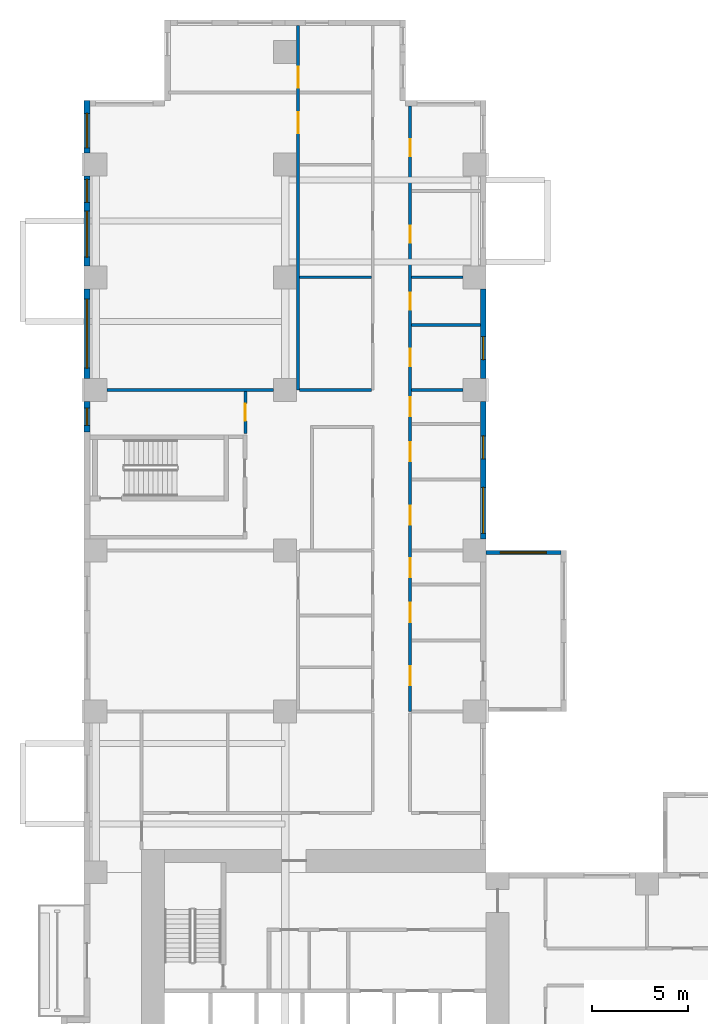
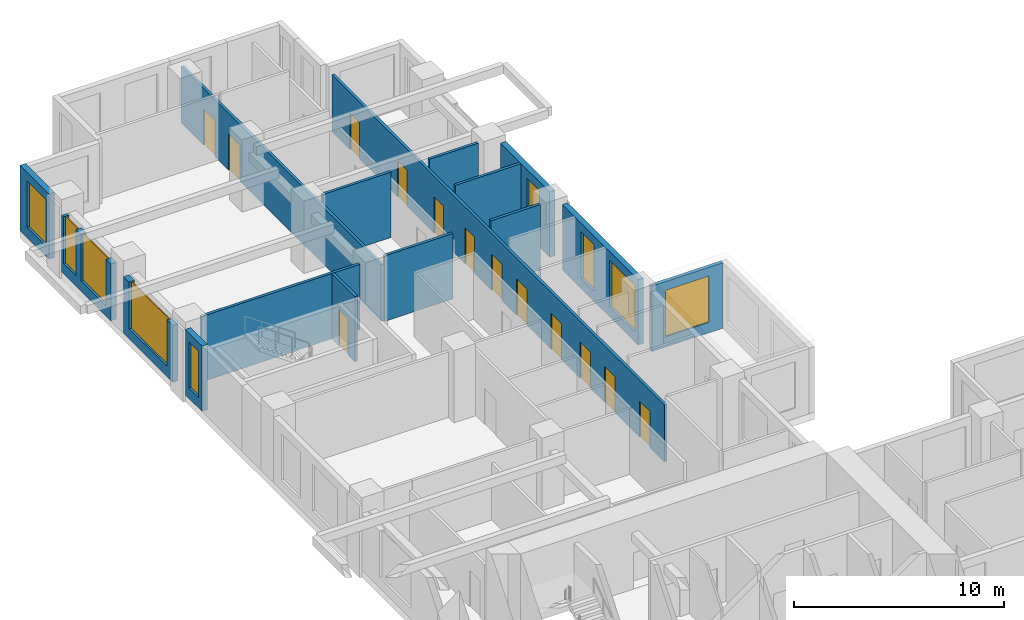
# One storey, part 7 of 14: 16 walls, 13 doors, 9 windows, 22 openings.
"""IFC4 building model written with IfcOpenShell, lengths in metres."""

from ifc_helpers import new_model, si_unit, direction, frame, frame_2d, origin, place, context, subcontext, project, spatial, rectangle, extrude, source, transform, mapped, material, layer, layer_set, type_object, element, fill, save


model = new_model("IFC4")

# Units and contexts
model_context = context("Model", 3, precision=1e-05, world=origin(), true_north=direction((0.0, 1.0)))
body_context = subcontext(model_context, "Body", "Model", "MODEL_VIEW")
ifc_project = project(units=[si_unit("LENGTHUNIT", "METRE"), si_unit("AREAUNIT", "SQUARE_METRE"), si_unit("VOLUMEUNIT", "CUBIC_METRE"), si_unit("PLANEANGLEUNIT", "RADIAN"), si_unit("MASSUNIT", "GRAM", prefix="KILO")], contexts=[model_context])

# Site, building, storey
site_placement = place(None, origin())
site = spatial("IfcSite", under=ifc_project, at=site_placement, CompositionType="ELEMENT")
building_placement = place(site_placement, origin())
building = spatial("IfcBuilding", under=site, at=building_placement, Name="Aurelian Terraces", CompositionType="ELEMENT")
storey_placement = place(building_placement, frame((0.0, 0.0, 53.1)))
storey = spatial("IfcBuildingStorey", under=building, at=storey_placement, Name="L10", CompositionType="ELEMENT", Elevation=53.1)

# Wall, openings, windows
ifc_material_1 = material(Name="Terracotta rainscreen cladding", Category="masonry")
ifc_layer_1 = layer(ifc_material_1, 0.3)
ifc_layer_set_1 = layer_set([ifc_layer_1], Name="EW-300")
wall_type_1 = type_object("IfcWallType", Name="EW-300", PredefinedType="STANDARD", material=ifc_layer_set_1)
shared_shape_1 = source(origin(), body_context, "Body", "SweptSolid", [
    extrude(rectangle(XDim=7.2, YDim=0.3, at=frame_2d((3.6, 0.0))), origin(), (0.0, 0.0, 1.0), 3.8),
])
wall_1_placement = place(storey_placement, frame((20.85, 38.4, 0.0), z_axis=(0.0, 0.0, 1.0), x_axis=(0.0, 1.0, 0.0)))
wall_1 = element("IfcWall", 1, at=wall_1_placement, inside=storey, type_object=wall_type_1, Name="External wall L10 F12.27", PredefinedType="STANDARD", context=body_context, shape_type="MappedRepresentation", body=[
    mapped(shared_shape_1, transform((0.0, 0.0, 0.0), scale=1.0)),
])
shared_shape_2 = source(origin(), body_context, "Body", "SweptSolid", [
    extrude(rectangle(XDim=2.4, YDim=2.7, at=frame_2d((1.2, 1.35))), frame((0.0, 0.16, 0.0), z_axis=(0.0, -1.0, 0.0), x_axis=(1.0, 0.0, 0.0)), (0.0, 0.0, 1.0), 0.32),
])
opening_1_placement = place(wall_1_placement, frame((0.3, 0.0, 0.6)))
opening_1 = element("IfcOpeningElement", 2, at=opening_1_placement, cuts=wall_1, Name="Opening W2427", PredefinedType="OPENING", context=body_context, shape_type="MappedRepresentation", body=[
    mapped(shared_shape_2, transform((0.0, 0.0, 0.0), scale=1.0)),
])
shared_shape_3 = source(origin(), body_context, "Body", "SweptSolid", [
    extrude(rectangle(XDim=1.2, YDim=2.7, at=frame_2d((0.6, 1.35))), frame((0.0, 0.16, 0.0), z_axis=(0.0, -1.0, 0.0), x_axis=(1.0, 0.0, 0.0)), (0.0, 0.0, 1.0), 0.32),
])
opening_2_placement = place(wall_1_placement, frame((4.1995, 0.0, 0.6)))
opening_2 = element("IfcOpeningElement", 3, at=opening_2_placement, cuts=wall_1, Name="Opening W1227", PredefinedType="OPENING", context=body_context, shape_type="MappedRepresentation", body=[
    mapped(shared_shape_3, transform((0.0, 0.0, 0.0), scale=1.0)),
])
ifc_material_2 = material(Name="Clear glazing", Category="glass")
window_type_1 = type_object("IfcWindowType", Name="W-2400x2700", PartitioningType="SINGLE_PANEL", PredefinedType="WINDOW", material=ifc_material_2)
shared_shape_4 = source(origin(), body_context, "Body", "SweptSolid", [
    extrude(rectangle(XDim=2.4, YDim=2.7, at=frame_2d((1.2, 1.35))), frame((0.0, 0.03, 0.0), z_axis=(0.0, -1.0, 0.0), x_axis=(1.0, 0.0, 0.0)), (0.0, 0.0, 1.0), 0.06),
])
window_1_placement = place(opening_1_placement, origin())
window_1 = element("IfcWindow", 4, at=window_1_placement, inside=storey, type_object=window_type_1, Name="Window L10 L10-F12-27-0", OverallHeight=2.7, OverallWidth=2.4, PartitioningType="SINGLE_PANEL", PredefinedType="WINDOW", context=body_context, shape_type="MappedRepresentation", body=[
    mapped(shared_shape_4, transform((0.0, 0.0, 0.0), scale=1.0)),
])
fill(opening_1, window_1)
window_type_2 = type_object("IfcWindowType", Name="W-1200x2700", PartitioningType="SINGLE_PANEL", PredefinedType="WINDOW", material=ifc_material_2)
shared_shape_5 = source(origin(), body_context, "Body", "SweptSolid", [
    extrude(rectangle(XDim=1.2, YDim=2.7, at=frame_2d((0.6, 1.35))), frame((0.0, 0.03, 0.0), z_axis=(0.0, -1.0, 0.0), x_axis=(1.0, 0.0, 0.0)), (0.0, 0.0, 1.0), 0.06),
])
window_2_placement = place(opening_2_placement, origin())
window_2 = element("IfcWindow", 5, at=window_2_placement, inside=storey, type_object=window_type_2, Name="Window L10 L10-F12-27-G0-33", OverallHeight=2.7, OverallWidth=1.2, PartitioningType="SINGLE_PANEL", PredefinedType="WINDOW", context=body_context, shape_type="MappedRepresentation", body=[
    mapped(shared_shape_5, transform((0.0, 0.0, 0.0), scale=1.0)),
])
fill(opening_2, window_2)

# Wall, opening, window
shared_shape_6 = source(origin(), body_context, "Body", "SweptSolid", [
    extrude(rectangle(XDim=4.68, YDim=0.3, at=frame_2d((2.34, 0.0))), origin(), (0.0, 0.0, 1.0), 3.8),
])
wall_2_placement = place(storey_placement, frame((20.85, 46.8, 0.0), z_axis=(0.0, 0.0, 1.0), x_axis=(0.0, 1.0, 0.0)))
wall_2 = element("IfcWall", 6, at=wall_2_placement, inside=storey, type_object=wall_type_1, Name="External wall L10 F12.28", PredefinedType="STANDARD", context=body_context, shape_type="MappedRepresentation", body=[
    mapped(shared_shape_6, transform((0.0, 0.0, 0.0), scale=1.0)),
])
opening_3_placement = place(wall_2_placement, frame((0.976, 0.0, 0.6)))
opening_3 = element("IfcOpeningElement", 7, at=opening_3_placement, cuts=wall_2, Name="Opening W1227", PredefinedType="OPENING", context=body_context, shape_type="MappedRepresentation", body=[
    mapped(shared_shape_3, transform((0.0, 0.0, 0.0), scale=1.0)),
])
window_3_placement = place(opening_3_placement, origin())
window_3 = element("IfcWindow", 8, at=window_3_placement, inside=storey, type_object=window_type_2, Name="Window L10 L10-F12-28-0", OverallHeight=2.7, OverallWidth=1.2, PartitioningType="SINGLE_PANEL", PredefinedType="WINDOW", context=body_context, shape_type="MappedRepresentation", body=[
    mapped(shared_shape_5, transform((0.0, 0.0, 0.0), scale=1.0)),
])
fill(opening_3, window_3)

shared_shape_7 = source(origin(), body_context, "Body", "SweptSolid", [
    extrude(rectangle(XDim=2.76, YDim=0.3, at=frame_2d((1.38, 0.0))), origin(), (0.0, 0.0, 1.0), 3.8),
])
wall_3_placement = place(storey_placement, frame((0.15, 61.32, 0.0), z_axis=(0.0, 0.0, 1.0), x_axis=(0.0, -1.0, 0.0)))
wall_3 = element("IfcWall", 9, at=wall_3_placement, inside=storey, type_object=wall_type_1, Name="External wall L10 F18.39", PredefinedType="STANDARD", context=body_context, shape_type="MappedRepresentation", body=[
    mapped(shared_shape_7, transform((0.0, 0.0, 0.0), scale=1.0)),
])
shared_shape_8 = source(origin(), body_context, "Body", "SweptSolid", [
    extrude(rectangle(XDim=1.8, YDim=2.7, at=frame_2d((0.9, 1.35))), frame((0.0, 0.16, 0.0), z_axis=(0.0, -1.0, 0.0), x_axis=(1.0, 0.0, 0.0)), (0.0, 0.0, 1.0), 0.32),
])
opening_4_placement = place(wall_3_placement, frame((0.675, 0.0, 0.6)))
opening_4 = element("IfcOpeningElement", 10, at=opening_4_placement, cuts=wall_3, Name="Opening W1827", PredefinedType="OPENING", context=body_context, shape_type="MappedRepresentation", body=[
    mapped(shared_shape_8, transform((0.0, 0.0, 0.0), scale=1.0)),
])
window_type_3 = type_object("IfcWindowType", Name="W-1800x2700", PartitioningType="SINGLE_PANEL", PredefinedType="WINDOW", material=ifc_material_2)
shared_shape_9 = source(origin(), body_context, "Body", "SweptSolid", [
    extrude(rectangle(XDim=1.8, YDim=2.7, at=frame_2d((0.9, 1.35))), frame((0.0, 0.03, 0.0), z_axis=(0.0, -1.0, 0.0), x_axis=(1.0, 0.0, 0.0)), (0.0, 0.0, 1.0), 0.06),
])
window_4_placement = place(opening_4_placement, origin())
window_4 = element("IfcWindow", 11, at=window_4_placement, inside=storey, type_object=window_type_3, Name="Window L10 L10-F18-39-0", OverallHeight=2.7, OverallWidth=1.8, PartitioningType="SINGLE_PANEL", PredefinedType="WINDOW", context=body_context, shape_type="MappedRepresentation", body=[
    mapped(shared_shape_9, transform((0.0, 0.0, 0.0), scale=1.0)),
])
fill(opening_4, window_4)

# Wall, openings, windows
shared_shape_10 = source(origin(), body_context, "Body", "SweptSolid", [
    extrude(rectangle(XDim=4.68, YDim=0.3, at=frame_2d((2.34, 0.0))), origin(), (0.0, 0.0, 1.0), 3.3),
])
wall_4_placement = place(storey_placement, frame((0.15, 57.36, 0.0), z_axis=(0.0, 0.0, 1.0), x_axis=(0.0, -1.0, 0.0)))
wall_4 = element("IfcWall", 12, at=wall_4_placement, inside=storey, type_object=wall_type_1, Name="External wall L10 F18.39", PredefinedType="STANDARD", context=body_context, shape_type="MappedRepresentation", body=[
    mapped(shared_shape_10, transform((0.0, 0.0, 0.0), scale=1.0)),
])
opening_5_placement = place(wall_4_placement, frame((0.165, 0.0, 0.6)))
opening_5 = element("IfcOpeningElement", 13, at=opening_5_placement, cuts=wall_4, Name="Opening W1227", PredefinedType="OPENING", context=body_context, shape_type="MappedRepresentation", body=[
    mapped(shared_shape_3, transform((0.0, 0.0, 0.0), scale=1.0)),
])
opening_6_placement = place(wall_4_placement, frame((1.8225, 0.0, 0.6)))
opening_6 = element("IfcOpeningElement", 14, at=opening_6_placement, cuts=wall_4, Name="Opening W2427", PredefinedType="OPENING", context=body_context, shape_type="MappedRepresentation", body=[
    mapped(shared_shape_2, transform((0.0, 0.0, 0.0), scale=1.0)),
])
window_5_placement = place(opening_6_placement, origin())
window_5 = element("IfcWindow", 15, at=window_5_placement, inside=storey, type_object=window_type_1, Name="Window L10 L10-F18-39-G1-53", OverallHeight=2.7, OverallWidth=2.4, PartitioningType="SINGLE_PANEL", PredefinedType="WINDOW", context=body_context, shape_type="MappedRepresentation", body=[
    mapped(shared_shape_4, transform((0.0, 0.0, 0.0), scale=1.0)),
])
fill(opening_6, window_5)
window_6_placement = place(opening_5_placement, origin())
window_6 = element("IfcWindow", 16, at=window_6_placement, inside=storey, type_object=window_type_2, Name="Window L10 L10-F18-39-1", OverallHeight=2.7, OverallWidth=1.2, PartitioningType="SINGLE_PANEL", PredefinedType="WINDOW", context=body_context, shape_type="MappedRepresentation", body=[
    mapped(shared_shape_5, transform((0.0, 0.0, 0.0), scale=1.0)),
])
fill(opening_5, window_6)

# Wall, opening, window
wall_5_placement = place(storey_placement, frame((0.15, 51.48, 0.0), z_axis=(0.0, 0.0, 1.0), x_axis=(0.0, -1.0, 0.0)))
wall_5 = element("IfcWall", 17, at=wall_5_placement, inside=storey, type_object=wall_type_1, Name="External wall L10 F18.39", PredefinedType="STANDARD", context=body_context, shape_type="MappedRepresentation", body=[
    mapped(shared_shape_10, transform((0.0, 0.0, 0.0), scale=1.0)),
])
shared_shape_11 = source(origin(), body_context, "Body", "SweptSolid", [
    extrude(rectangle(XDim=3.6, YDim=2.7, at=frame_2d((1.8, 1.35))), frame((0.0, 0.16, 0.0), z_axis=(0.0, -1.0, 0.0), x_axis=(1.0, 0.0, 0.0)), (0.0, 0.0, 1.0), 0.32),
])
opening_7_placement = place(wall_5_placement, frame((0.54, 0.0, 0.6)))
opening_7 = element("IfcOpeningElement", 18, at=opening_7_placement, cuts=wall_5, Name="Opening W3627", PredefinedType="OPENING", context=body_context, shape_type="MappedRepresentation", body=[
    mapped(shared_shape_11, transform((0.0, 0.0, 0.0), scale=1.0)),
])
window_type_4 = type_object("IfcWindowType", Name="W-3600x2700", PartitioningType="SINGLE_PANEL", PredefinedType="WINDOW", material=ifc_material_2)
shared_shape_12 = source(origin(), body_context, "Body", "SweptSolid", [
    extrude(rectangle(XDim=3.6, YDim=2.7, at=frame_2d((1.8, 1.35))), frame((0.0, 0.03, 0.0), z_axis=(0.0, -1.0, 0.0), x_axis=(1.0, 0.0, 0.0)), (0.0, 0.0, 1.0), 0.06),
])
window_7_placement = place(opening_7_placement, origin())
window_7 = element("IfcWindow", 19, at=window_7_placement, inside=storey, type_object=window_type_4, Name="Window L10 L10-F18-39-P2", OverallHeight=2.7, OverallWidth=3.6, PartitioningType="SINGLE_PANEL", PredefinedType="WINDOW", context=body_context, shape_type="MappedRepresentation", body=[
    mapped(shared_shape_12, transform((0.0, 0.0, 0.0), scale=1.0)),
])
fill(opening_7, window_7)

shared_shape_13 = source(origin(), body_context, "Body", "SweptSolid", [
    extrude(rectangle(XDim=1.6, YDim=0.3, at=frame_2d((0.8, 0.0))), origin(), (0.0, 0.0, 1.0), 3.8),
])
wall_6_placement = place(storey_placement, frame((0.15, 45.6, 0.0), z_axis=(0.0, 0.0, 1.0), x_axis=(0.0, -1.0, 0.0)))
wall_6 = element("IfcWall", 20, at=wall_6_placement, inside=storey, type_object=wall_type_1, Name="External wall L10 F18.39", PredefinedType="STANDARD", context=body_context, shape_type="MappedRepresentation", body=[
    mapped(shared_shape_13, transform((0.0, 0.0, 0.0), scale=1.0)),
])
shared_shape_14 = source(origin(), body_context, "Body", "SweptSolid", [
    extrude(rectangle(XDim=0.9, YDim=2.7, at=frame_2d((0.45, 1.35))), frame((0.0, 0.16, 0.0), z_axis=(0.0, -1.0, 0.0), x_axis=(1.0, 0.0, 0.0)), (0.0, 0.0, 1.0), 0.32),
])
opening_8_placement = place(wall_6_placement, frame((0.35, 0.0, 0.6)))
opening_8 = element("IfcOpeningElement", 21, at=opening_8_placement, cuts=wall_6, Name="Opening W0927", PredefinedType="OPENING", context=body_context, shape_type="MappedRepresentation", body=[
    mapped(shared_shape_14, transform((0.0, 0.0, 0.0), scale=1.0)),
])
window_type_5 = type_object("IfcWindowType", Name="W-900x2700", PartitioningType="SINGLE_PANEL", PredefinedType="WINDOW", material=ifc_material_2)
shared_shape_15 = source(origin(), body_context, "Body", "SweptSolid", [
    extrude(rectangle(XDim=0.9, YDim=2.7, at=frame_2d((0.45, 1.35))), frame((0.0, 0.03, 0.0), z_axis=(0.0, -1.0, 0.0), x_axis=(1.0, 0.0, 0.0)), (0.0, 0.0, 1.0), 0.06),
])
window_8_placement = place(opening_8_placement, origin())
window_8 = element("IfcWindow", 22, at=window_8_placement, inside=storey, type_object=window_type_5, Name="Window L10 L10-F18-39-P3", OverallHeight=2.7, OverallWidth=0.9, PartitioningType="SINGLE_PANEL", PredefinedType="WINDOW", context=body_context, shape_type="MappedRepresentation", body=[
    mapped(shared_shape_15, transform((0.0, 0.0, 0.0), scale=1.0)),
])
fill(opening_8, window_8)

ifc_material_3 = material(Name="Concrete fc' 40 MPa", Category="concrete")
ifc_layer_2 = layer(ifc_material_3, 0.2)
ifc_layer_set_2 = layer_set([ifc_layer_2], Name="BOX BEARING WALL 200")
wall_type_2 = type_object("IfcWallType", Name="BOX BEARING WALL 200", PredefinedType="SOLIDWALL", material=ifc_layer_set_2)
shared_shape_16 = source(origin(), body_context, "Body", "SweptSolid", [
    extrude(rectangle(XDim=3.9, YDim=0.2, at=frame_2d((1.95, 0.0))), origin(), (0.0, 0.0, 1.0), 3.8),
])
wall_7_placement = place(storey_placement, frame((21.0, 37.7, 0.0), z_axis=(0.0, 0.0, 1.0), x_axis=(1.0, 0.0, 0.0)))
wall_7 = element("IfcWall", 23, at=wall_7_placement, inside=storey, type_object=wall_type_2, Name="Box return L10 J05.2", PredefinedType="SOLIDWALL", context=body_context, shape_type="MappedRepresentation", body=[
    mapped(shared_shape_16, transform((0.0, 0.0, 0.0), scale=1.0)),
])
shared_shape_17 = source(origin(), body_context, "Body", "SweptSolid", [
    extrude(rectangle(XDim=2.4, YDim=2.7, at=frame_2d((1.2, 1.35))), frame((0.0, 0.11, 0.0), z_axis=(0.0, -1.0, 0.0), x_axis=(1.0, 0.0, 0.0)), (0.0, 0.0, 1.0), 0.22),
])
opening_9_placement = place(wall_7_placement, frame((0.75, 0.0, 0.6)))
opening_9 = element("IfcOpeningElement", 24, at=opening_9_placement, cuts=wall_7, Name="Opening W2427", PredefinedType="OPENING", context=body_context, shape_type="MappedRepresentation", body=[
    mapped(shared_shape_17, transform((0.0, 0.0, 0.0), scale=1.0)),
])
window_9_placement = place(opening_9_placement, origin())
window_9 = element("IfcWindow", 25, at=window_9_placement, inside=storey, type_object=window_type_1, Name="Window L10 J05-S2", OverallHeight=2.7, OverallWidth=2.4, PartitioningType="SINGLE_PANEL", PredefinedType="WINDOW", context=body_context, shape_type="MappedRepresentation", body=[
    mapped(shared_shape_4, transform((0.0, 0.0, 0.0), scale=1.0)),
])
fill(opening_9, window_9)

# Walls
ifc_material_4 = material(Name="Gypsum board on steel studs", Category="steel")
ifc_layer_3 = layer(ifc_material_4, 0.15)
ifc_layer_set_3 = layer_set([ifc_layer_3], Name="Partition 150")
wall_type_3 = type_object("IfcWallType", Name="Partition 150", PredefinedType="PARTITIONING", material=ifc_layer_set_3)
shared_shape_18 = source(origin(), body_context, "Body", "SweptSolid", [
    extrude(rectangle(XDim=3.75, YDim=0.15, at=frame_2d((1.875, 0.0))), origin(), (0.0, 0.0, 1.0), 3.8),
])
for number, where, z_axis, x_axis, name in (
    (26, (15.0, 52.08, 0.0), (0.0, 0.0, 1.0), (-1.0, 0.0, 0.0), "Partition"),
    (27, (15.0, 46.2, 0.0), (0.0, 0.0, 1.0), (-1.0, 0.0, 0.0), "Partition"),
):
    element("IfcWall", number, at=place(storey_placement, frame(where, z_axis=z_axis, x_axis=x_axis)), inside=storey, type_object=wall_type_3, Name=name, PredefinedType="PARTITIONING", context=body_context, shape_type="MappedRepresentation", body=[
        mapped(shared_shape_18, transform((0.0, 0.0, 0.0), scale=1.0)),
    ])
shared_shape_19 = source(origin(), body_context, "Body", "SweptSolid", [
    extrude(rectangle(XDim=8.702, YDim=0.15, at=frame_2d((4.351, 0.0))), origin(), (0.0, 0.0, 1.0), 3.8),
])
wall_8_placement = place(storey_placement, frame((9.901, 46.2, 0.0), z_axis=(0.0, 0.0, 1.0), x_axis=(-1.0, 0.0, 0.0)))
element("IfcWall", 28, at=wall_8_placement, inside=storey, type_object=wall_type_3, Name="Partition", PredefinedType="PARTITIONING", context=body_context, shape_type="MappedRepresentation", body=[
    mapped(shared_shape_19, transform((0.0, 0.0, 0.0), scale=1.0)),
])
shared_shape_20 = source(origin(), body_context, "Body", "SweptSolid", [
    extrude(rectangle(XDim=3.6, YDim=0.15, at=frame_2d((1.8, 0.0))), origin(), (0.0, 0.0, 1.0), 3.8),
])
wall_9_placement = place(storey_placement, frame((17.1, 49.5866, 0.0), z_axis=(0.0, 0.0, 1.0), x_axis=(1.0, 0.0, 0.0)))
element("IfcWall", 29, at=wall_9_placement, inside=storey, type_object=wall_type_3, Name="Partition", PredefinedType="PARTITIONING", context=body_context, shape_type="MappedRepresentation", body=[
    mapped(shared_shape_20, transform((0.0, 0.0, 0.0), scale=1.0)),
])
shared_shape_21 = source(origin(), body_context, "Body", "SweptSolid", [
    extrude(rectangle(XDim=2.701, YDim=0.15, at=frame_2d((1.3505, 0.0))), origin(), (0.0, 0.0, 1.0), 3.8),
])
for number, where, z_axis, x_axis, name in (
    (30, (19.801, 46.2, 0.0), (0.0, 0.0, 1.0), (-1.0, 0.0, 0.0), "Partition"),
    (31, (19.801, 52.08, 0.0), (0.0, 0.0, 1.0), (-1.0, 0.0, 0.0), "Partition"),
):
    element("IfcWall", number, at=place(storey_placement, frame(where, z_axis=z_axis, x_axis=x_axis)), inside=storey, type_object=wall_type_3, Name=name, PredefinedType="PARTITIONING", context=body_context, shape_type="MappedRepresentation", body=[
        mapped(shared_shape_21, transform((0.0, 0.0, 0.0), scale=1.0)),
    ])

# Wall, opening, door
shared_shape_22 = source(origin(), body_context, "Body", "SweptSolid", [
    extrude(rectangle(XDim=2.2, YDim=0.15, at=frame_2d((1.1, 0.0))), origin(), (0.0, 0.0, 1.0), 3.8),
])
wall_10_placement = place(storey_placement, frame((8.425, 43.925, 0.0), z_axis=(0.0, 0.0, 1.0), x_axis=(0.0, 1.0, 0.0)))
wall_10 = element("IfcWall", 32, at=wall_10_placement, inside=storey, type_object=wall_type_3, Name="Partition", PredefinedType="PARTITIONING", context=body_context, shape_type="MappedRepresentation", body=[
    mapped(shared_shape_22, transform((0.0, 0.0, 0.0), scale=1.0)),
])
shared_shape_23 = source(origin(), body_context, "Body", "SweptSolid", [
    extrude(rectangle(XDim=0.9, YDim=2.1, at=frame_2d((0.45, 1.05))), frame((0.0, 0.085, 0.0), z_axis=(0.0, -1.0, 0.0), x_axis=(1.0, 0.0, 0.0)), (0.0, 0.0, 1.0), 0.17),
])
opening_10_placement = place(wall_10_placement, frame((0.65, 0.0, 0.0)))
opening_10 = element("IfcOpeningElement", 33, at=opening_10_placement, cuts=wall_10, Name="Opening 710031", PredefinedType="OPENING", context=body_context, shape_type="MappedRepresentation", body=[
    mapped(shared_shape_23, transform((0.0, 0.0, 0.0), scale=1.0)),
])
ifc_material_5 = material(Name="Timber door leaf", Category="wood")
door_type_1 = type_object("IfcDoorType", Name="Room door 900x2100 right", OperationType="SINGLE_SWING_RIGHT", PredefinedType="DOOR", material=ifc_material_5)
shared_shape_24 = source(origin(), body_context, "Body", "SweptSolid", [
    extrude(rectangle(XDim=0.9, YDim=2.1, at=frame_2d((0.45, 1.05))), frame((0.0, 0.025, 0.0), z_axis=(0.0, -1.0, 0.0), x_axis=(1.0, 0.0, 0.0)), (0.0, 0.0, 1.0), 0.05),
])
door_1_placement = place(opening_10_placement, origin())
door_1 = element("IfcDoor", 34, at=door_1_placement, inside=storey, type_object=door_type_1, Name="Door 710031", OperationType="SINGLE_SWING_RIGHT", OverallHeight=2.1, OverallWidth=0.9, PredefinedType="DOOR", context=body_context, shape_type="MappedRepresentation", body=[
    mapped(shared_shape_24, transform((0.0, 0.0, 0.0), scale=1.0)),
])
fill(opening_10, door_1)

# Wall, openings, doors
shared_shape_25 = source(origin(), body_context, "Body", "SweptSolid", [
    extrude(rectangle(XDim=19.02, YDim=0.15, at=frame_2d((9.51, 0.0))), origin(), (0.0, 0.0, 1.0), 3.3),
])
wall_11_placement = place(storey_placement, frame((11.175, 46.2, 0.0), z_axis=(0.0, 0.0, 1.0), x_axis=(0.0, 1.0, 0.0)))
wall_11 = element("IfcWall", 35, at=wall_11_placement, inside=storey, type_object=wall_type_3, Name="Partition", PredefinedType="PARTITIONING", context=body_context, shape_type="MappedRepresentation", body=[
    mapped(shared_shape_25, transform((0.0, 0.0, 0.0), scale=1.0)),
])
shared_shape_26 = source(origin(), body_context, "Body", "SweptSolid", [
    extrude(rectangle(XDim=1.1, YDim=2.1, at=frame_2d((0.55, 1.05))), frame((0.0, 0.085, 0.0), z_axis=(0.0, -1.0, 0.0), x_axis=(1.0, 0.0, 0.0)), (0.0, 0.0, 1.0), 0.17),
])
opening_11_placement = place(wall_11_placement, frame((13.4125, 0.0, 0.0)))
opening_11 = element("IfcOpeningElement", 36, at=opening_11_placement, cuts=wall_11, Name="Opening 710037", PredefinedType="OPENING", context=body_context, shape_type="MappedRepresentation", body=[
    mapped(shared_shape_26, transform((0.0, 0.0, 0.0), scale=1.0)),
])
opening_12_placement = place(wall_11_placement, frame((15.7775, 0.0, 0.0)))
opening_12 = element("IfcOpeningElement", 37, at=opening_12_placement, cuts=wall_11, Name="Opening 710041", PredefinedType="OPENING", context=body_context, shape_type="MappedRepresentation", body=[
    mapped(shared_shape_26, transform((0.0, 0.0, 0.0), scale=1.0)),
])
door_type_2 = type_object("IfcDoorType", Name="Room door 1100x2100 right", OperationType="SINGLE_SWING_RIGHT", PredefinedType="DOOR", material=ifc_material_5)
shared_shape_27 = source(origin(), body_context, "Body", "SweptSolid", [
    extrude(rectangle(XDim=1.1, YDim=2.1, at=frame_2d((0.55, 1.05))), frame((0.0, 0.025, 0.0), z_axis=(0.0, -1.0, 0.0), x_axis=(1.0, 0.0, 0.0)), (0.0, 0.0, 1.0), 0.05),
])
door_2_placement = place(opening_11_placement, origin())
door_2 = element("IfcDoor", 38, at=door_2_placement, inside=storey, type_object=door_type_2, Name="Door 710037", OperationType="SINGLE_SWING_RIGHT", OverallHeight=2.1, OverallWidth=1.1, PredefinedType="DOOR", context=body_context, shape_type="MappedRepresentation", body=[
    mapped(shared_shape_27, transform((0.0, 0.0, 0.0), scale=1.0)),
])
fill(opening_11, door_2)
door_3_placement = place(opening_12_placement, origin())
door_3 = element("IfcDoor", 39, at=door_3_placement, inside=storey, type_object=door_type_2, Name="Door 710041", OperationType="SINGLE_SWING_RIGHT", OverallHeight=2.1, OverallWidth=1.1, PredefinedType="DOOR", context=body_context, shape_type="MappedRepresentation", body=[
    mapped(shared_shape_27, transform((0.0, 0.0, 0.0), scale=1.0)),
])
fill(opening_12, door_3)

ifc_layer_4 = layer(ifc_material_4, 0.15)
ifc_layer_set_4 = layer_set([ifc_layer_4], Name="Fire partition 150")
wall_type_4 = type_object("IfcWallType", Name="Fire partition 150", PredefinedType="PARTITIONING", material=ifc_layer_set_4)
shared_shape_28 = source(origin(), body_context, "Body", "SweptSolid", [
    extrude(rectangle(XDim=31.62, YDim=0.15, at=frame_2d((15.81, 0.0))), origin(), (0.0, 0.0, 1.0), 3.3),
])
wall_12_placement = place(storey_placement, frame((17.025, 61.02, 0.0), z_axis=(0.0, 0.0, 1.0), x_axis=(0.0, -1.0, 0.0)))
wall_12 = element("IfcWall", 40, at=wall_12_placement, inside=storey, type_object=wall_type_4, Name="Corridor wall", PredefinedType="PARTITIONING", context=body_context, shape_type="MappedRepresentation", body=[
    mapped(shared_shape_28, transform((0.0, 0.0, 0.0), scale=1.0)),
])
shared_shape_29 = source(origin(), body_context, "Body", "SweptSolid", [
    extrude(rectangle(XDim=1.0, YDim=2.1, at=frame_2d((0.5, 1.05))), frame((0.0, 0.085, 0.0), z_axis=(0.0, -1.0, 0.0), x_axis=(1.0, 0.0, 0.0)), (0.0, 0.0, 1.0), 0.17),
])
opening_13_placement = place(wall_12_placement, frame((29.2633, 0.0, 0.0)))
opening_13 = element("IfcOpeningElement", 41, at=opening_13_placement, cuts=wall_12, Name="Opening 710042", PredefinedType="OPENING", context=body_context, shape_type="MappedRepresentation", body=[
    mapped(shared_shape_29, transform((0.0, 0.0, 0.0), scale=1.0)),
])
opening_14_placement = place(wall_12_placement, frame((25.9514, 0.0, 0.0)))
opening_14 = element("IfcOpeningElement", 42, at=opening_14_placement, cuts=wall_12, Name="Opening 710043", PredefinedType="OPENING", context=body_context, shape_type="MappedRepresentation", body=[
    mapped(shared_shape_29, transform((0.0, 0.0, 0.0), scale=1.0)),
])
opening_15_placement = place(wall_12_placement, frame((23.608, 0.0, 0.0)))
opening_15 = element("IfcOpeningElement", 43, at=opening_15_placement, cuts=wall_12, Name="Opening 710044", PredefinedType="OPENING", context=body_context, shape_type="MappedRepresentation", body=[
    mapped(shared_shape_29, transform((0.0, 0.0, 0.0), scale=1.0)),
])
opening_16_placement = place(wall_12_placement, frame((20.8633, 0.0, 0.0)))
opening_16 = element("IfcOpeningElement", 44, at=opening_16_placement, cuts=wall_12, Name="Opening 710045", PredefinedType="OPENING", context=body_context, shape_type="MappedRepresentation", body=[
    mapped(shared_shape_29, transform((0.0, 0.0, 0.0), scale=1.0)),
])
opening_17_placement = place(wall_12_placement, frame((17.5514, 0.0, 0.0)))
opening_17 = element("IfcOpeningElement", 45, at=opening_17_placement, cuts=wall_12, Name="Opening 710046", PredefinedType="OPENING", context=body_context, shape_type="MappedRepresentation", body=[
    mapped(shared_shape_29, transform((0.0, 0.0, 0.0), scale=1.0)),
])
opening_18_placement = place(wall_12_placement, frame((15.208, 0.0, 0.0)))
opening_18 = element("IfcOpeningElement", 46, at=opening_18_placement, cuts=wall_12, Name="Opening 710047", PredefinedType="OPENING", context=body_context, shape_type="MappedRepresentation", body=[
    mapped(shared_shape_29, transform((0.0, 0.0, 0.0), scale=1.0)),
])
opening_19_placement = place(wall_12_placement, frame((12.6767, 0.0, 0.0)))
opening_19 = element("IfcOpeningElement", 47, at=opening_19_placement, cuts=wall_12, Name="Opening 710048", PredefinedType="OPENING", context=body_context, shape_type="MappedRepresentation", body=[
    mapped(shared_shape_23, transform((0.0, 0.0, 0.0), scale=1.0)),
])
opening_20_placement = place(wall_12_placement, frame((9.7367, 0.0, 0.0)))
opening_20 = element("IfcOpeningElement", 48, at=opening_20_placement, cuts=wall_12, Name="Opening 710049", PredefinedType="OPENING", context=body_context, shape_type="MappedRepresentation", body=[
    mapped(shared_shape_23, transform((0.0, 0.0, 0.0), scale=1.0)),
])
opening_21_placement = place(wall_12_placement, frame((6.2362, 0.0, 0.0)))
opening_21 = element("IfcOpeningElement", 49, at=opening_21_placement, cuts=wall_12, Name="Opening 710050", PredefinedType="OPENING", context=body_context, shape_type="MappedRepresentation", body=[
    mapped(shared_shape_23, transform((0.0, 0.0, 0.0), scale=1.0)),
])
opening_22_placement = place(wall_12_placement, frame((1.7288, 0.0, 0.0)))
opening_22 = element("IfcOpeningElement", 50, at=opening_22_placement, cuts=wall_12, Name="Opening 710051", PredefinedType="OPENING", context=body_context, shape_type="MappedRepresentation", body=[
    mapped(shared_shape_23, transform((0.0, 0.0, 0.0), scale=1.0)),
])
door_type_3 = type_object("IfcDoorType", Name="Room door 1000x2100 left", OperationType="SINGLE_SWING_LEFT", PredefinedType="DOOR", material=ifc_material_5)
shared_shape_30 = source(origin(), body_context, "Body", "SweptSolid", [
    extrude(rectangle(XDim=1.0, YDim=2.1, at=frame_2d((0.5, 1.05))), frame((0.0, 0.025, 0.0), z_axis=(0.0, -1.0, 0.0), x_axis=(1.0, 0.0, 0.0)), (0.0, 0.0, 1.0), 0.05),
])
door_4_placement = place(opening_13_placement, origin())
door_4 = element("IfcDoor", 51, at=door_4_placement, inside=storey, type_object=door_type_3, Name="Door 710042", OperationType="SINGLE_SWING_LEFT", OverallHeight=2.1, OverallWidth=1.0, PredefinedType="DOOR", context=body_context, shape_type="MappedRepresentation", body=[
    mapped(shared_shape_30, transform((0.0, 0.0, 0.0), scale=1.0)),
])
fill(opening_13, door_4)
door_type_4 = type_object("IfcDoorType", Name="Room door 1000x2100 right", OperationType="SINGLE_SWING_RIGHT", PredefinedType="DOOR", material=ifc_material_5)
door_5_placement = place(opening_14_placement, origin())
door_5 = element("IfcDoor", 52, at=door_5_placement, inside=storey, type_object=door_type_4, Name="Door 710043", OperationType="SINGLE_SWING_RIGHT", OverallHeight=2.1, OverallWidth=1.0, PredefinedType="DOOR", context=body_context, shape_type="MappedRepresentation", body=[
    mapped(shared_shape_30, transform((0.0, 0.0, 0.0), scale=1.0)),
])
fill(opening_14, door_5)
door_6_placement = place(opening_15_placement, origin())
door_6 = element("IfcDoor", 53, at=door_6_placement, inside=storey, type_object=door_type_3, Name="Door 710044", OperationType="SINGLE_SWING_LEFT", OverallHeight=2.1, OverallWidth=1.0, PredefinedType="DOOR", context=body_context, shape_type="MappedRepresentation", body=[
    mapped(shared_shape_30, transform((0.0, 0.0, 0.0), scale=1.0)),
])
fill(opening_15, door_6)
door_7_placement = place(opening_16_placement, origin())
door_7 = element("IfcDoor", 54, at=door_7_placement, inside=storey, type_object=door_type_3, Name="Door 710045", OperationType="SINGLE_SWING_LEFT", OverallHeight=2.1, OverallWidth=1.0, PredefinedType="DOOR", context=body_context, shape_type="MappedRepresentation", body=[
    mapped(shared_shape_30, transform((0.0, 0.0, 0.0), scale=1.0)),
])
fill(opening_16, door_7)
door_8_placement = place(opening_17_placement, origin())
door_8 = element("IfcDoor", 55, at=door_8_placement, inside=storey, type_object=door_type_4, Name="Door 710046", OperationType="SINGLE_SWING_RIGHT", OverallHeight=2.1, OverallWidth=1.0, PredefinedType="DOOR", context=body_context, shape_type="MappedRepresentation", body=[
    mapped(shared_shape_30, transform((0.0, 0.0, 0.0), scale=1.0)),
])
fill(opening_17, door_8)
door_9_placement = place(opening_18_placement, origin())
door_9 = element("IfcDoor", 56, at=door_9_placement, inside=storey, type_object=door_type_3, Name="Door 710047", OperationType="SINGLE_SWING_LEFT", OverallHeight=2.1, OverallWidth=1.0, PredefinedType="DOOR", context=body_context, shape_type="MappedRepresentation", body=[
    mapped(shared_shape_30, transform((0.0, 0.0, 0.0), scale=1.0)),
])
fill(opening_18, door_9)
door_type_5 = type_object("IfcDoorType", Name="Room door 900x2100 left", OperationType="SINGLE_SWING_LEFT", PredefinedType="DOOR", material=ifc_material_5)
door_10_placement = place(opening_19_placement, origin())
door_10 = element("IfcDoor", 57, at=door_10_placement, inside=storey, type_object=door_type_5, Name="Door 710048", OperationType="SINGLE_SWING_LEFT", OverallHeight=2.1, OverallWidth=0.9, PredefinedType="DOOR", context=body_context, shape_type="MappedRepresentation", body=[
    mapped(shared_shape_24, transform((0.0, 0.0, 0.0), scale=1.0)),
])
fill(opening_19, door_10)
door_11_placement = place(opening_20_placement, origin())
door_11 = element("IfcDoor", 58, at=door_11_placement, inside=storey, type_object=door_type_1, Name="Door 710049", OperationType="SINGLE_SWING_RIGHT", OverallHeight=2.1, OverallWidth=0.9, PredefinedType="DOOR", context=body_context, shape_type="MappedRepresentation", body=[
    mapped(shared_shape_24, transform((0.0, 0.0, 0.0), scale=1.0)),
])
fill(opening_20, door_11)
door_12_placement = place(opening_21_placement, origin())
door_12 = element("IfcDoor", 59, at=door_12_placement, inside=storey, type_object=door_type_5, Name="Door 710050", OperationType="SINGLE_SWING_LEFT", OverallHeight=2.1, OverallWidth=0.9, PredefinedType="DOOR", context=body_context, shape_type="MappedRepresentation", body=[
    mapped(shared_shape_24, transform((0.0, 0.0, 0.0), scale=1.0)),
])
fill(opening_21, door_12)
door_13_placement = place(opening_22_placement, origin())
door_13 = element("IfcDoor", 60, at=door_13_placement, inside=storey, type_object=door_type_1, Name="Door 710051", OperationType="SINGLE_SWING_RIGHT", OverallHeight=2.1, OverallWidth=0.9, PredefinedType="DOOR", context=body_context, shape_type="MappedRepresentation", body=[
    mapped(shared_shape_24, transform((0.0, 0.0, 0.0), scale=1.0)),
])
fill(opening_22, door_13)

save(model, "model.ifc")
